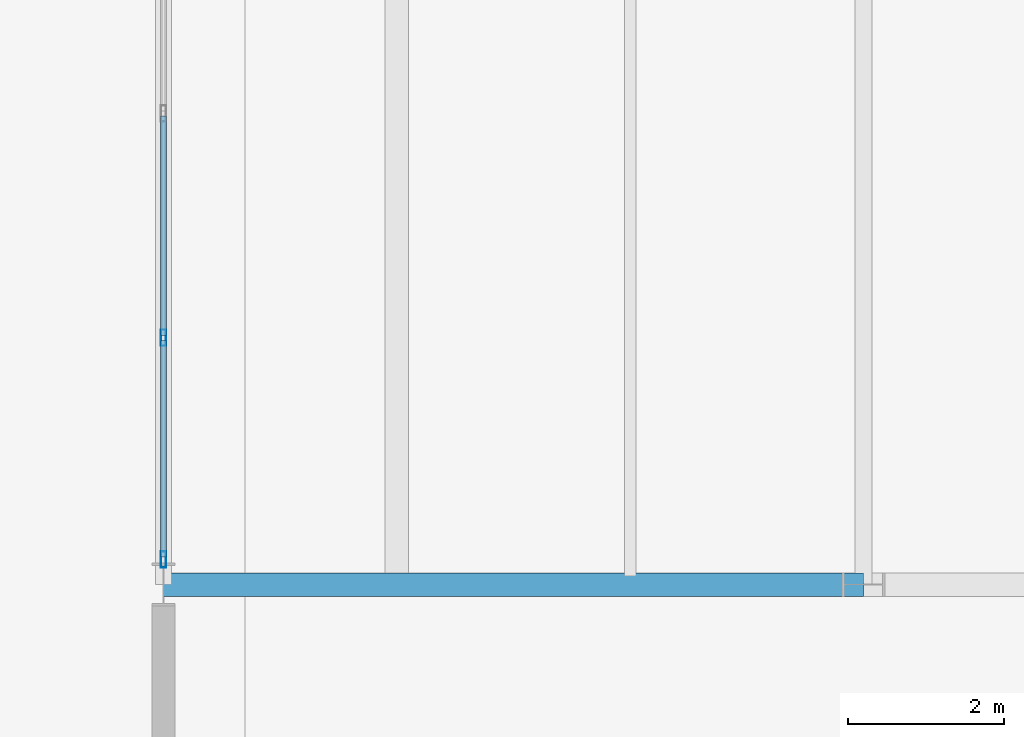
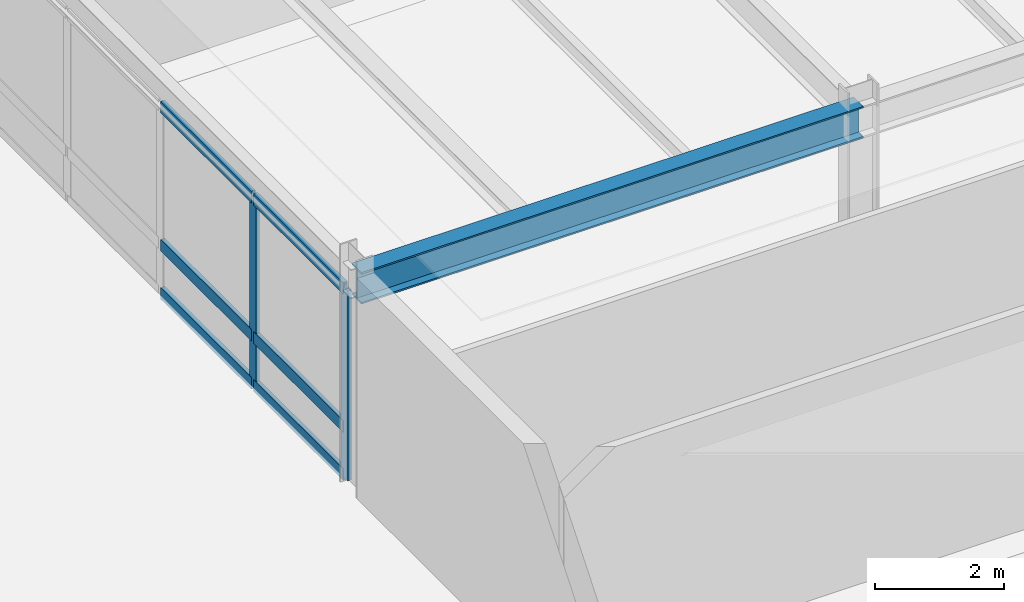
# One storey, part 20 of 127: 8 members, 1 beam, 1 element without a shape of its own.
"""IFC4 building model written with IfcOpenShell, lengths in metres."""

from ifc_helpers import new_model, si_unit, direction, frame, origin, origin_2d, place, context, subcontext, project, spatial, hollow_rectangle, i_section, extrude, material, layer, layer_set, material_profile, profile_set, type_object, element, aggregate, save


model = new_model("IFC4")

# Units and contexts
model_context = context("Model", 3, precision=1e-05, world=origin(), true_north=direction((0.0, 1.0)))
body_context = subcontext(model_context, "Body", "Model", "MODEL_VIEW")
ifc_project = project(units=[si_unit("LENGTHUNIT", "METRE"), si_unit("AREAUNIT", "SQUARE_METRE"), si_unit("VOLUMEUNIT", "CUBIC_METRE"), si_unit("PLANEANGLEUNIT", "RADIAN"), si_unit("MASSUNIT", "GRAM", prefix="KILO")], contexts=[model_context])

# Site, building, storey
site_placement = place(None, origin())
site = spatial("IfcSite", under=ifc_project, at=site_placement, CompositionType="ELEMENT")
building_placement = place(site_placement, origin())
building = spatial("IfcBuilding", under=site, at=building_placement, Name="Montelvaro Courts of Justice", CompositionType="ELEMENT")
storey_placement = place(building_placement, frame((0.0, 0.0, 5.39990234375)))
storey = spatial("IfcBuildingStorey", under=building, at=storey_placement, Name="L01", CompositionType="ELEMENT", Elevation=5.39990234375)

# Beam
ifc_material_1 = material(Name="Steel S355", Category="steel")
ifc_material_profile_1 = material_profile(ifc_material_1, i_section(OverallWidth=0.300048828125, OverallDepth=0.60009765625, WebThickness=0.015380859375, FlangeThickness=0.030029296875, at=origin_2d()), Name="HEB 600")
ifc_profile_set_1 = profile_set([ifc_material_profile_1], Name="Steel S355")
beam_type = type_object("IfcBeamType", Name="Beam_HEB600", PredefinedType="USERDEFINED", material=ifc_profile_set_1)
beam_placement = place(storey_placement, frame((18.0, 42.0, 3.860107421875), z_axis=(1.0, 0.0, 0.0), x_axis=(0.0, 1.0, 0.0)))
element("IfcBeam", 1, at=beam_placement, inside=storey, type_object=beam_type, Name="Beam B-26 L01", ObjectType="GIRDER", PredefinedType="USERDEFINED", context=body_context, shape_type="SweptSolid", body=[
    extrude(i_section(OverallWidth=0.300048828125, OverallDepth=0.60009765625, WebThickness=0.015380859375, FlangeThickness=0.030029296875, at=origin_2d()), origin(), (0.0, 0.0, 1.0), 9.0),
])

# Curtain wall, members
ifc_material_2 = material(Name="Anodised aluminium EN AW-6063", Category="aluminium")
ifc_layer = layer(ifc_material_2, 0.159912109375)
ifc_layer_set = layer_set([ifc_layer], Name="Anodised aluminium EN AW-6063")
curtain_wall_type = type_object("IfcCurtainWallType", Name="CurtainWall_23_1154x418", PredefinedType="USERDEFINED", material=ifc_layer_set)
curtain_wall_placement = place(storey_placement, origin())
curtain_wall = element("IfcCurtainWall", 2, at=curtain_wall_placement, inside=storey, type_object=curtain_wall_type, Name="Curtain Wall CW-23 (L01)", ObjectType="CURTAIN WALL", PredefinedType="USERDEFINED")
ifc_material_profile_2 = material_profile(ifc_material_2, hollow_rectangle(XDim=0.06494140625, YDim=0.2099609375, WallThickness=0.0048828125, at=origin_2d()), Name="ALU-M 65x210")
ifc_profile_set_2 = profile_set([ifc_material_profile_2], Name="Anodised aluminium EN AW-6063")
member_type_1 = type_object("IfcMemberType", Name="CurtainWall_Mullion_65x210", PredefinedType="MULLION", material=ifc_profile_set_2)
member_1_placement = place(storey_placement, frame((18.0, 45.173828125, 0.0), z_axis=(0.0, 0.0, 1.0), x_axis=(1.0, 0.0, 0.0)))
member_1 = element("IfcMember", 3, at=member_1_placement, type_object=member_type_1, Name="CW-23 mullion 4", PredefinedType="MULLION", context=body_context, shape_type="SweptSolid", body=[
    extrude(hollow_rectangle(XDim=0.06494140625, YDim=0.2099609375, WallThickness=0.0048828125, at=origin_2d()), origin(), (0.0, 0.0, 1.0), 3.60498046875),
])
member_2_placement = place(storey_placement, frame((18.0, 42.322509765625, 0.0), z_axis=(0.0, 0.0, 1.0), x_axis=(1.0, 0.0, 0.0)))
member_2 = element("IfcMember", 4, at=member_2_placement, type_object=member_type_1, Name="CW-23 mullion 5", PredefinedType="MULLION", context=body_context, shape_type="SweptSolid", body=[
    extrude(hollow_rectangle(XDim=0.06494140625, YDim=0.2099609375, WallThickness=0.0048828125, at=origin_2d()), origin(), (0.0, 0.0, 1.0), 3.60498046875),
])
ifc_material_profile_3 = material_profile(ifc_material_2, hollow_rectangle(XDim=0.074951171875, YDim=0.219970703125, WallThickness=0.005615234375, at=origin_2d()), Name="ALU-T 75x220")
ifc_profile_set_3 = profile_set([ifc_material_profile_3], Name="Anodised aluminium EN AW-6063")
member_type_2 = type_object("IfcMemberType", Name="CurtainWall_Transom_75x220", PredefinedType="USERDEFINED", material=ifc_profile_set_3)
member_3_placement = place(storey_placement, frame((18.0, 48.02490234375, 0.03759765625), z_axis=(0.0, -1.0, 0.0), x_axis=(1.0, 0.0, 0.0)))
member_3 = element("IfcMember", 5, at=member_3_placement, type_object=member_type_2, Name="CW-23 transom 3.1", ObjectType="TRANSOM", PredefinedType="USERDEFINED", context=body_context, shape_type="SweptSolid", body=[
    extrude(hollow_rectangle(XDim=0.074951171875, YDim=0.219970703125, WallThickness=0.005615234375, at=origin_2d()), origin(), (0.0, 0.0, 1.0), 2.818603515625),
])
member_4_placement = place(storey_placement, frame((18.0, 48.02490234375, 0.9501953125), z_axis=(0.0, -1.0, 0.0), x_axis=(1.0, 0.0, 0.0)))
member_4 = element("IfcMember", 6, at=member_4_placement, type_object=member_type_2, Name="CW-23 transom 3.2", ObjectType="TRANSOM", PredefinedType="USERDEFINED", context=body_context, shape_type="SweptSolid", body=[
    extrude(hollow_rectangle(XDim=0.074951171875, YDim=0.219970703125, WallThickness=0.005615234375, at=origin_2d()), origin(), (0.0, 0.0, 1.0), 2.818603515625),
])
member_5_placement = place(storey_placement, frame((18.0, 48.02490234375, 3.567626953125), z_axis=(0.0, -1.0, 0.0), x_axis=(1.0, 0.0, 0.0)))
member_5 = element("IfcMember", 7, at=member_5_placement, type_object=member_type_2, Name="CW-23 transom 3.3", ObjectType="TRANSOM", PredefinedType="USERDEFINED", context=body_context, shape_type="SweptSolid", body=[
    extrude(hollow_rectangle(XDim=0.074951171875, YDim=0.219970703125, WallThickness=0.005615234375, at=origin_2d()), origin(), (0.0, 0.0, 1.0), 2.818603515625),
])
member_6_placement = place(storey_placement, frame((18.0, 45.141357421875, 0.03759765625), z_axis=(0.0, -1.0, 0.0), x_axis=(1.0, 0.0, 0.0)))
member_6 = element("IfcMember", 8, at=member_6_placement, type_object=member_type_2, Name="CW-23 transom 4.1", ObjectType="TRANSOM", PredefinedType="USERDEFINED", context=body_context, shape_type="SweptSolid", body=[
    extrude(hollow_rectangle(XDim=0.074951171875, YDim=0.219970703125, WallThickness=0.005615234375, at=origin_2d()), origin(), (0.0, 0.0, 1.0), 2.786376953125),
])
member_7_placement = place(storey_placement, frame((18.0, 45.141357421875, 0.9501953125), z_axis=(0.0, -1.0, 0.0), x_axis=(1.0, 0.0, 0.0)))
member_7 = element("IfcMember", 9, at=member_7_placement, type_object=member_type_2, Name="CW-23 transom 4.2", ObjectType="TRANSOM", PredefinedType="USERDEFINED", context=body_context, shape_type="SweptSolid", body=[
    extrude(hollow_rectangle(XDim=0.074951171875, YDim=0.219970703125, WallThickness=0.005615234375, at=origin_2d()), origin(), (0.0, 0.0, 1.0), 2.786376953125),
])
member_8_placement = place(storey_placement, frame((18.0, 45.141357421875, 3.567626953125), z_axis=(0.0, -1.0, 0.0), x_axis=(1.0, 0.0, 0.0)))
member_8 = element("IfcMember", 10, at=member_8_placement, type_object=member_type_2, Name="CW-23 transom 4.3", ObjectType="TRANSOM", PredefinedType="USERDEFINED", context=body_context, shape_type="SweptSolid", body=[
    extrude(hollow_rectangle(XDim=0.074951171875, YDim=0.219970703125, WallThickness=0.005615234375, at=origin_2d()), origin(), (0.0, 0.0, 1.0), 2.786376953125),
])
aggregate(curtain_wall, [member_1, member_2, member_3, member_4, member_5, member_6, member_7, member_8])

save(model, "model.ifc")
